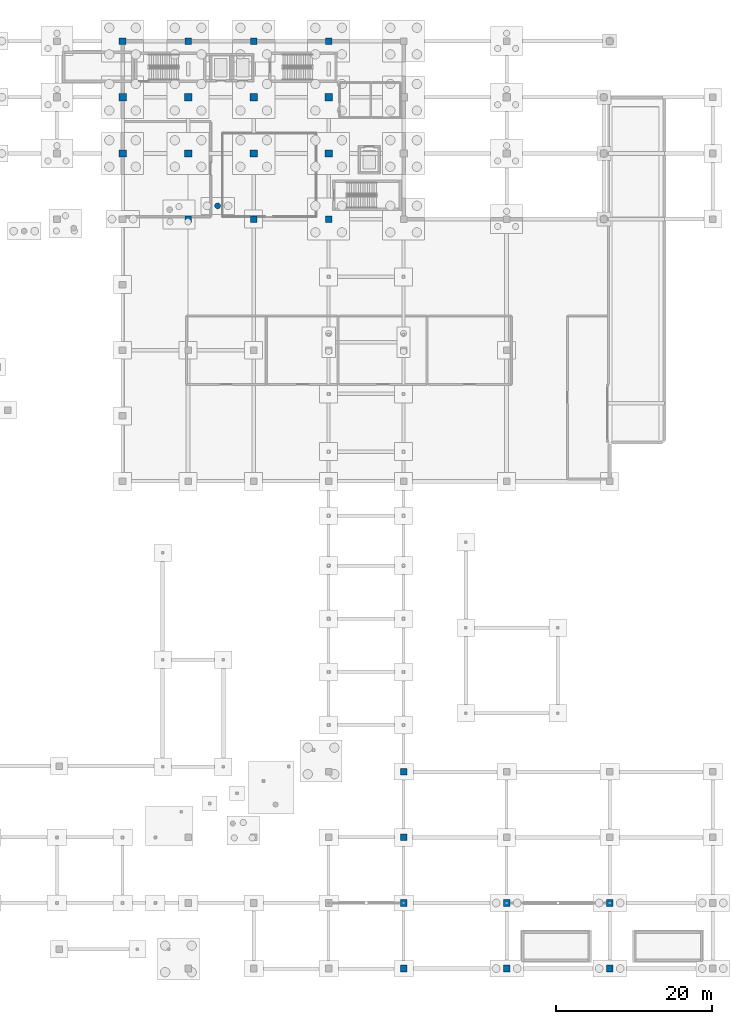
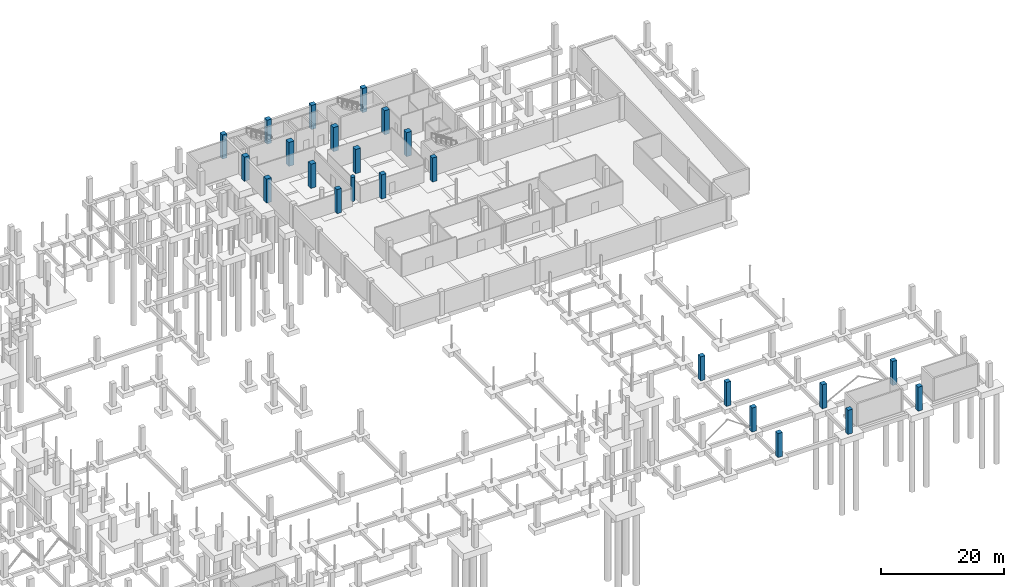
# One storey, part 25 of 44: 24 columns.
"""IFC4 building model written with IfcOpenShell, lengths in metres."""

from ifc_helpers import new_model, si_unit, direction, frame, origin, origin_2d, place, context, subcontext, project, spatial, rectangle, circle, extrude, material, material_profile, profile_set, type_object, element, save


model = new_model("IFC4")

# Units and contexts
model_context = context("Model", 3, precision=1e-05, world=origin(), true_north=direction((0.0, 1.0)))
body_context = subcontext(model_context, "Body", "Model", "MODEL_VIEW")
ifc_project = project(units=[si_unit("LENGTHUNIT", "METRE"), si_unit("AREAUNIT", "SQUARE_METRE"), si_unit("VOLUMEUNIT", "CUBIC_METRE"), si_unit("PLANEANGLEUNIT", "RADIAN"), si_unit("MASSUNIT", "GRAM", prefix="KILO")], contexts=[model_context])

# Site, building, storey
site_placement = place(None, origin())
site = spatial("IfcSite", under=ifc_project, at=site_placement, CompositionType="ELEMENT")
building_placement = place(site_placement, origin())
building = spatial("IfcBuilding", under=site, at=building_placement, Name="Kisaragi Civic Commons", CompositionType="ELEMENT")
storey_placement = place(building_placement, frame((0.0, 0.0, -4.800048828125)))
storey = spatial("IfcBuildingStorey", under=building, at=storey_placement, Name="B1", CompositionType="ELEMENT", Elevation=-4.800048828125)

# Columns
ifc_material = material(Name="Concrete Fc36", Category="concrete")
ifc_material_profile_1 = material_profile(ifc_material, rectangle(XDim=0.85009765625, YDim=0.85009765625, at=origin_2d()), Name="RC-850x850", Category="concrete")
ifc_profile_set_1 = profile_set([ifc_material_profile_1], Name="Concrete Fc36")
column_type_1 = type_object("IfcColumnType", Name="C-01", PredefinedType="COLUMN", material=ifc_profile_set_1)
for number, where, z_axis, x_axis, name in (
    (1, (133.199951171875, 8.39990234375, 0.0), (0.0, 0.0, 1.0), (1.0, 0.0, 0.0), "B1 column C-01 (133.2,8.4)"),
    (2, (133.199951171875, 16.800048828125, 0.0), (0.0, 0.0, 1.0), (1.0, 0.0, 0.0), "B1 column C-01 (133.2,16.8)"),
    (3, (146.39990234375, 8.39990234375, 0.0), (0.0, 0.0, 1.0), (1.0, 0.0, 0.0), "B1 column C-01 (146.4,8.4)"),
    (4, (159.60009765625, 8.39990234375, 0.0), (0.0, 0.0, 1.0), (1.0, 0.0, 0.0), "B1 column C-01 (159.6,8.4)"),
):
    element("IfcColumn", number, at=place(storey_placement, frame(where, z_axis=z_axis, x_axis=x_axis)), inside=storey, type_object=column_type_1, Name=name, PredefinedType="COLUMN", context=body_context, shape_type="SweptSolid", body=[
        extrude(rectangle(XDim=0.85009765625, YDim=0.85009765625, at=origin_2d()), origin(), (0.0, 0.0, 1.0), 4.800048828125),
    ])
ifc_material_profile_2 = material_profile(ifc_material, rectangle(XDim=0.85009765625, YDim=0.85009765625, at=origin_2d()), Name="RC-850x850", Category="concrete")
ifc_profile_set_2 = profile_set([ifc_material_profile_2], Name="Concrete Fc36")
column_type_2 = type_object("IfcColumnType", Name="C-05", PredefinedType="COLUMN", material=ifc_profile_set_2)
for number, where, z_axis, x_axis, name in (
    (5, (97.199951171875, 118.800048828125, 0.0), (0.0, 0.0, 1.0), (1.0, 0.0, 0.0), "B1 column C-05 (97.2,118.8)"),
    (6, (105.60009765625, 96.0, 0.0), (0.0, 0.0, 1.0), (1.0, 0.0, 0.0), "B1 column C-05 (105.6,96.0)"),
    (7, (105.60009765625, 118.800048828125, 0.0), (0.0, 0.0, 1.0), (1.0, 0.0, 0.0), "B1 column C-05 (105.6,118.8)"),
    (8, (114.0, 96.0, 0.0), (0.0, 0.0, 1.0), (1.0, 0.0, 0.0), "B1 column C-05 (114.0,96.0)"),
    (9, (114.0, 118.800048828125, 0.0), (0.0, 0.0, 1.0), (1.0, 0.0, 0.0), "B1 column C-05 (114.0,118.8)"),
    (10, (123.60009765625, 96.0, 0.0), (0.0, 0.0, 1.0), (1.0, 0.0, 0.0), "B1 column C-05 (123.6,96.0)"),
    (11, (123.60009765625, 118.800048828125, 0.0), (0.0, 0.0, 1.0), (1.0, 0.0, 0.0), "B1 column C-05 (123.6,118.8)"),
    (12, (133.199951171875, 0.0, 0.0), (0.0, 0.0, 1.0), (1.0, 0.0, 0.0), "B1 column C-05 (133.2,0.0)"),
    (13, (133.199951171875, 25.199951171875, 0.0), (0.0, 0.0, 1.0), (1.0, 0.0, 0.0), "B1 column C-05 (133.2,25.2)"),
    (14, (146.39990234375, 0.0, 0.0), (0.0, 0.0, 1.0), (1.0, 0.0, 0.0), "B1 column C-05 (146.4,0.0)"),
    (15, (159.60009765625, 0.0, 0.0), (0.0, 0.0, 1.0), (1.0, 0.0, 0.0), "B1 column C-05 (159.6,0.0)"),
):
    element("IfcColumn", number, at=place(storey_placement, frame(where, z_axis=z_axis, x_axis=x_axis)), inside=storey, type_object=column_type_2, Name=name, PredefinedType="COLUMN", context=body_context, shape_type="SweptSolid", body=[
        extrude(rectangle(XDim=0.85009765625, YDim=0.85009765625, at=origin_2d()), origin(), (0.0, 0.0, 1.0), 4.800048828125),
    ])
ifc_material_profile_3 = material_profile(ifc_material, rectangle(XDim=0.949951171875, YDim=0.949951171875, at=origin_2d()), Name="RC-950x950", Category="concrete")
ifc_profile_set_3 = profile_set([ifc_material_profile_3], Name="Concrete Fc36")
column_type_3 = type_object("IfcColumnType", Name="C-11", PredefinedType="COLUMN", material=ifc_profile_set_3)
for number, where, z_axis, x_axis, name in (
    (16, (97.199951171875, 104.39990234375, 0.0), (0.0, 0.0, 1.0), (1.0, 0.0, 0.0), "B1 column C-11 (97.2,104.4)"),
    (17, (97.199951171875, 111.60009765625, 0.0), (0.0, 0.0, 1.0), (1.0, 0.0, 0.0), "B1 column C-11 (97.2,111.6)"),
    (18, (105.60009765625, 104.39990234375, 0.0), (0.0, 0.0, 1.0), (1.0, 0.0, 0.0), "B1 column C-11 (105.6,104.4)"),
    (19, (105.60009765625, 111.60009765625, 0.0), (0.0, 0.0, 1.0), (1.0, 0.0, 0.0), "B1 column C-11 (105.6,111.6)"),
    (20, (114.0, 104.39990234375, 0.0), (0.0, 0.0, 1.0), (1.0, 0.0, 0.0), "B1 column C-11 (114.0,104.4)"),
    (21, (114.0, 111.60009765625, 0.0), (0.0, 0.0, 1.0), (1.0, 0.0, 0.0), "B1 column C-11 (114.0,111.6)"),
    (22, (123.60009765625, 104.39990234375, 0.0), (0.0, 0.0, 1.0), (1.0, 0.0, 0.0), "B1 column C-11 (123.6,104.4)"),
    (23, (123.60009765625, 111.60009765625, 0.0), (0.0, 0.0, 1.0), (1.0, 0.0, 0.0), "B1 column C-11 (123.6,111.6)"),
):
    element("IfcColumn", number, at=place(storey_placement, frame(where, z_axis=z_axis, x_axis=x_axis)), inside=storey, type_object=column_type_3, Name=name, PredefinedType="COLUMN", context=body_context, shape_type="SweptSolid", body=[
        extrude(rectangle(XDim=0.949951171875, YDim=0.949951171875, at=origin_2d()), origin(), (0.0, 0.0, 1.0), 4.800048828125),
    ])
ifc_material_profile_4 = material_profile(ifc_material, circle(Radius=0.375, at=origin_2d()), Name="RC-D750", Category="concrete")
ifc_profile_set_4 = profile_set([ifc_material_profile_4], Name="Concrete Fc36")
column_type_4 = type_object("IfcColumnType", Name="C-24", PredefinedType="COLUMN", material=ifc_profile_set_4)
column_placement = place(storey_placement, frame((109.373291015625, 97.693115234375, 0.0), z_axis=(0.0, 0.0, 1.0), x_axis=(1.0, 0.0, 0.0)))
element("IfcColumn", 24, at=column_placement, inside=storey, type_object=column_type_4, Name="B1 column C-24 (109.4,97.7)", PredefinedType="COLUMN", context=body_context, shape_type="SweptSolid", body=[
    extrude(circle(Radius=0.375, at=origin_2d()), origin(), (0.0, 0.0, 1.0), 4.800048828125),
])

save(model, "model.ifc")
